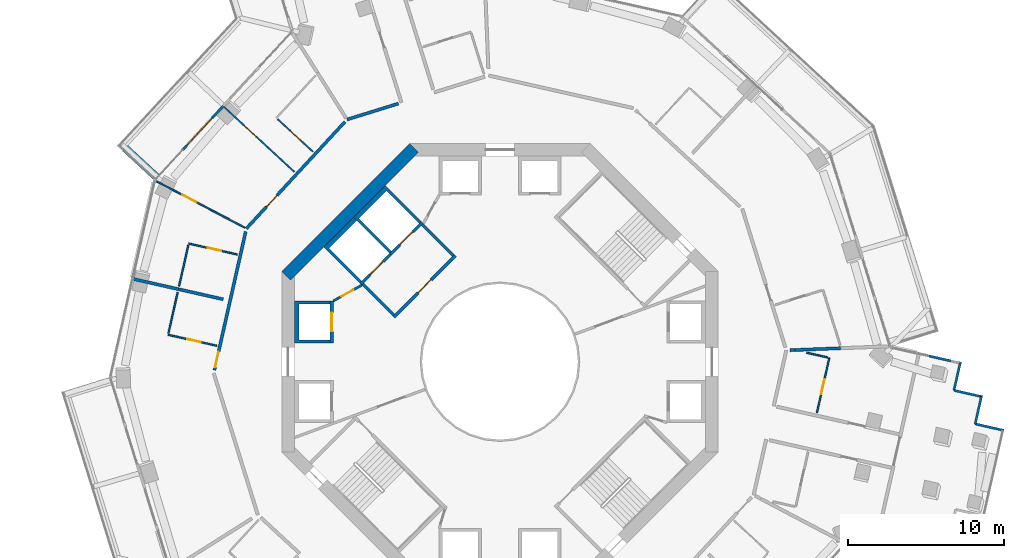
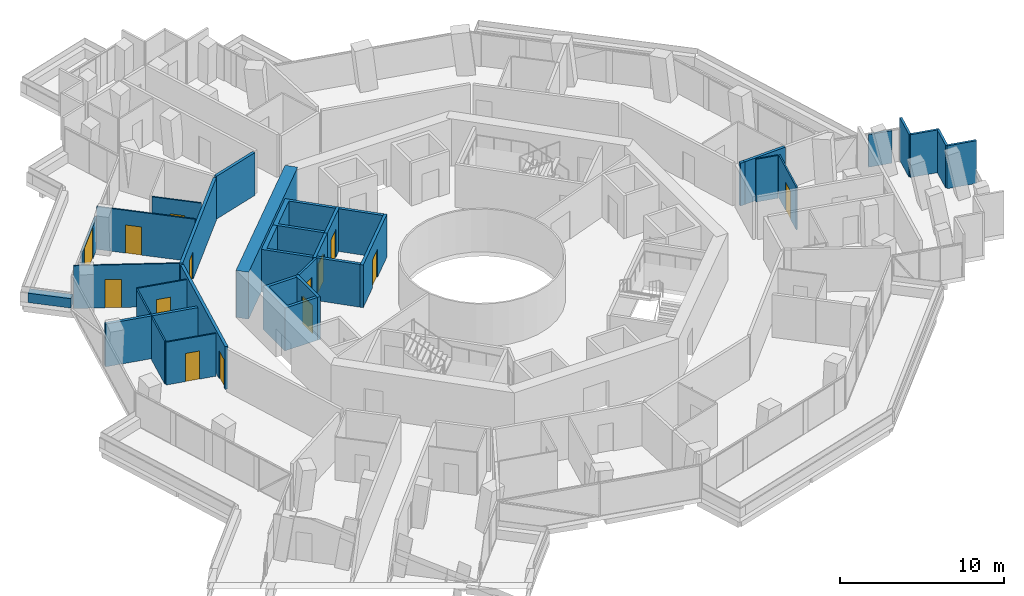
# One storey, part 20 of 25: 34 walls, 14 doors, 14 openings.
"""IFC4 building model written with IfcOpenShell, lengths in metres."""

import ifcopenshell
import ifcopenshell.guid

model = None  # the IFC model being written
_history = None  # IfcOwnerHistory: only IFC2X3 demands one
_inside = {}  # id of a spatial element -> (the spatial element, [elements in it])
_under = {}  # id of a project, library or spatial element -> (it, [spatial elements below it])
_declared = {}  # id of a project -> (the project, [libraries it declares])
_typed = {}  # id of a type object -> (the type object, [elements of that type])
_made_of = {}  # id of a material, layer set ... -> (it, [elements and type objects made of it])


def new_model(schema):
    """Start an empty IFC model of exactly this schema.

    Asked for "IFC4X3", IfcOpenShell would pick the latest addendum, in which some entities
    have other attributes; the version numbers below select the first issue.
    IFC2X3 requires an IfcOwnerHistory on every rooted entity: one is made here for all.
    """
    global model, _history
    if schema == "IFC4X3":
        model = ifcopenshell.file(schema_version=(4, 3, 0, 0))
    else:
        model = ifcopenshell.file(schema=schema)
    _inside.clear()
    _under.clear()
    _declared.clear()
    _typed.clear()
    _made_of.clear()
    _history = None
    if model.schema == "IFC2X3":
        org = make("IfcOrganization", Name="unknown")
        user = make(
            "IfcPersonAndOrganization",
            ThePerson=make("IfcPerson", FamilyName="unknown"),
            TheOrganization=org,
        )
        app = make(
            "IfcApplication",
            ApplicationDeveloper=org,
            Version="unknown",
            ApplicationFullName="unknown",
            ApplicationIdentifier="unknown",
        )
        _history = make(
            "IfcOwnerHistory",
            OwningUser=user,
            OwningApplication=app,
            ChangeAction="ADDED",
            CreationDate=0,
        )
    return model


def make(cls, **values):
    """One entity of the class cls with the attributes given. An attribute that is None is left unset."""
    return model.create_entity(
        cls, **{name: value for name, value in values.items() if value is not None}
    )


def rooted(cls, **values):
    """An entity with a GlobalId (a new one), such as an element, a storey or a relation."""
    return make(cls, GlobalId=ifcopenshell.guid.new(), OwnerHistory=_history, **values)


def si_unit(unit_type, name, prefix=None):
    """IfcSIUnit, for example si_unit("LENGTHUNIT", "METRE", prefix="MILLI")."""
    return make("IfcSIUnit", UnitType=unit_type, Prefix=prefix, Name=name)


def assignment(units):
    """IfcUnitAssignment: the units of a project."""
    return None if units is None else make("IfcUnitAssignment", Units=units)


def point(xyz):
    """IfcCartesianPoint."""
    return None if xyz is None else make("IfcCartesianPoint", Coordinates=xyz)


def direction(xyz):
    """IfcDirection."""
    return None if xyz is None else make("IfcDirection", DirectionRatios=xyz)


def frame(location, z_axis=None, x_axis=None):
    """IfcAxis2Placement3D, a coordinate frame: its origin and axes. An axis left out is left unset."""
    return make(
        "IfcAxis2Placement3D",
        Location=point(location),
        Axis=direction(z_axis),
        RefDirection=direction(x_axis),
    )


def frame_2d(location, x_axis=None):
    """IfcAxis2Placement2D, a coordinate frame in the plane: its origin and x axis."""
    return make(
        "IfcAxis2Placement2D", Location=point(location), RefDirection=direction(x_axis)
    )


def origin():
    """The frame at (0, 0, 0) with its axes left unset."""
    return frame((0.0, 0.0, 0.0))


def place(relative_to, where):
    """IfcLocalPlacement: puts the frame where relative to a parent placement (None: the world)."""
    return make(
        "IfcLocalPlacement", PlacementRelTo=relative_to, RelativePlacement=where
    )


def context(
    kind, dimensions, precision=None, world=None, true_north=None, identifier=None
):
    """IfcGeometricRepresentationContext, for example the 3D "Model" context."""
    return make(
        "IfcGeometricRepresentationContext",
        ContextIdentifier=identifier,
        ContextType=kind,
        CoordinateSpaceDimension=dimensions,
        Precision=precision,
        WorldCoordinateSystem=world,
        TrueNorth=true_north,
    )


def subcontext(parent, identifier, kind, view, scale=None):
    """IfcGeometricRepresentationSubContext, for example "Body" below "Model"."""
    return make(
        "IfcGeometricRepresentationSubContext",
        ContextIdentifier=identifier,
        ContextType=kind,
        ParentContext=parent,
        TargetScale=scale,
        TargetView=view,
    )


def project(units=None, contexts=None):
    """IfcProject with its units and contexts."""
    return rooted(
        "IfcProject",
        Name="project",
        RepresentationContexts=contexts,
        UnitsInContext=assignment(units),
    )


def spatial(cls, under=None, at=None, **own):
    """A site, building, storey or space (cls), placed at a placement, below another one or the project."""
    s = rooted(cls, ObjectPlacement=at, **own)
    if under is not None:
        _under.setdefault(under.id(), (under, []))[1].append(s)
    return s


def polyline(points):
    """IfcPolyline through the points."""
    return make("IfcPolyline", Points=[point(p) for p in points])


def profile(cls, at=None, kind="AREA", **sizes):
    """A parametric profile (cls). Its sizes go by their IFC names, for example OverallWidth=200.0."""
    return make(cls, ProfileType=kind, Position=at, **sizes)


def rectangle(**sizes):
    """IfcRectangleProfileDef."""
    return profile("IfcRectangleProfileDef", **sizes)


def outline(outer, holes=None, kind="AREA"):
    """IfcArbitraryClosedProfileDef: a profile drawn as a closed curve; with holes, ...WithVoids."""
    if holes is None:
        return make("IfcArbitraryClosedProfileDef", ProfileType=kind, OuterCurve=outer)
    return make(
        "IfcArbitraryProfileDefWithVoids",
        ProfileType=kind,
        OuterCurve=outer,
        InnerCurves=holes,
    )


def extrude(swept, where, along, depth):
    """IfcExtrudedAreaSolid: the profile swept, set in the frame where, extruded along a direction by depth."""
    return make(
        "IfcExtrudedAreaSolid",
        SweptArea=swept,
        Position=where,
        ExtrudedDirection=direction(along),
        Depth=depth,
    )


def shape(context_of_items, identifier, shape_type, items):
    """IfcShapeRepresentation: the items that make up one representation, for example the "Body"."""
    return make(
        "IfcShapeRepresentation",
        ContextOfItems=context_of_items,
        RepresentationIdentifier=identifier,
        RepresentationType=shape_type,
        Items=items,
    )


def material(Name=None, Category=None):
    """IfcMaterial."""
    return make("IfcMaterial", Name=Name, Category=Category)


def layer(
    of_material, thickness, ventilated=None, Name=None, Category=None, Priority=None
):
    """IfcMaterialLayer: one layer of a wall or slab, of a material (None: an air gap)."""
    return make(
        "IfcMaterialLayer",
        Material=of_material,
        LayerThickness=thickness,
        IsVentilated=ventilated,
        Name=Name,
        Category=Category,
        Priority=Priority,
    )


def layer_set(layers, Name=None):
    """IfcMaterialLayerSet."""
    return make("IfcMaterialLayerSet", MaterialLayers=layers, LayerSetName=Name)


def made_of(thing, what):
    """Note that an element or type object is made of a material, layer set ...; save() writes the relation."""
    if what is not None:
        _made_of.setdefault(what.id(), (what, []))[1].append(thing)
    return thing


def type_object(cls, material=None, **own):
    """A type object (cls), such as IfcWallType, which elements share."""
    return made_of(rooted(cls, **own), material)


def element(
    cls,
    number,
    at=None,
    inside=None,
    cuts=None,
    type_object=None,
    material=None,
    context=None,
    identifier="Body",
    shape_type=None,
    held_by="IfcProductDefinitionShape",
    body=None,
    shapes=None,
    **own,
):
    """One element of the class cls, such as IfcWall. Its Tag is "e" and its number.

    at: its placement. inside: the storey or other place that contains it. cuts: it is an
    opening in that element (IfcRelVoidsElement). A single representation is given by context,
    identifier, shape_type and body (its items); several are given by shapes. held_by: the class
    of the entity that holds the representations. save() writes the other relations.
    """
    e = rooted(cls, Tag="e%d" % number, ObjectPlacement=at, **own)
    if body is not None:
        shapes = [shape(context, identifier, shape_type, body)]
    if shapes is not None:
        e.Representation = make(held_by, Representations=shapes)
    if inside is not None:
        _inside.setdefault(inside.id(), (inside, []))[1].append(e)
    if cuts is not None:
        rooted(
            "IfcRelVoidsElement", RelatingBuildingElement=cuts, RelatedOpeningElement=e
        )
    if type_object is not None:
        _typed.setdefault(type_object.id(), (type_object, []))[1].append(e)
    return made_of(e, material)


def fill(opening, filler):
    """IfcRelFillsElement: the door or window that sits in an opening."""
    return rooted(
        "IfcRelFillsElement",
        RelatingOpeningElement=opening,
        RelatedBuildingElement=filler,
    )


def aggregate(whole, parts):
    """IfcRelAggregates: a whole, such as a stair, and the parts it consists of."""
    return rooted("IfcRelAggregates", RelatingObject=whole, RelatedObjects=parts)


def save(model, path):
    """Write the relations noted so far, then the file.

    IfcRelAggregates (storeys below a building ...), IfcRelContainedInSpatialStructure (elements
    in a storey), IfcRelDefinesByType, IfcRelAssociatesMaterial and IfcRelDeclares: one each for
    every whole, place, type object, material and project.
    """
    for whole, parts in _under.values():
        aggregate(whole, parts)
    for where, things in _inside.values():
        rooted(
            "IfcRelContainedInSpatialStructure",
            RelatedElements=things,
            RelatingStructure=where,
        )
    for kind, things in _typed.values():
        rooted("IfcRelDefinesByType", RelatedObjects=things, RelatingType=kind)
    for what, things in _made_of.values():
        rooted("IfcRelAssociatesMaterial", RelatedObjects=things, RelatingMaterial=what)
    for by, libraries in _declared.values():
        rooted("IfcRelDeclares", RelatingContext=by, RelatedDefinitions=libraries)
    model.write(path)


model = new_model("IFC4")

# Units and contexts
model_context = context("Model", 3, precision=1e-05, world=origin(), true_north=direction((0.0, 1.0)))
body_context = subcontext(model_context, "Body", "Model", "MODEL_VIEW")
ifc_project = project(units=[si_unit("LENGTHUNIT", "METRE"), si_unit("AREAUNIT", "SQUARE_METRE"), si_unit("VOLUMEUNIT", "CUBIC_METRE"), si_unit("PLANEANGLEUNIT", "RADIAN"), si_unit("MASSUNIT", "GRAM", prefix="KILO")], contexts=[model_context])

# Site, building, storey
site_placement = place(None, origin())
site = spatial("IfcSite", under=ifc_project, at=site_placement, CompositionType="ELEMENT")
building_placement = place(site_placement, origin())
building = spatial("IfcBuilding", under=site, at=building_placement, Name="Verdalira Terraces Hotel", CompositionType="ELEMENT")
storey_placement = place(building_placement, frame((0.0, 0.0, 103.5)))
storey = spatial("IfcBuildingStorey", under=building, at=storey_placement, Name="L24", CompositionType="ELEMENT", Elevation=103.5)

# Walls
ifc_material_1 = material(Name="Concrete C40", Category="concrete")
ifc_layer_1 = layer(ifc_material_1, 0.5)
ifc_layer_set_1 = layer_set([ifc_layer_1], Name="Balcony planter trough with tree")
wall_type_1 = type_object("IfcWallType", Name="Balcony planter trough with tree", PredefinedType="SOLIDWALL", material=ifc_layer_set_1)
wall_1_placement = place(storey_placement, frame((-24.045898, 13.697266, 0.0), z_axis=(0.0, 0.0, 1.0), x_axis=(0.734678586, -0.678415341, 0.0)))
element("IfcWall", 1, at=wall_1_placement, inside=storey, type_object=wall_type_1, Name="Balcony planter", PredefinedType="SOLIDWALL", context=body_context, shape_type="SweptSolid", body=[
    extrude(rectangle(XDim=2.698975, YDim=0.5, at=frame_2d((1.349609, 0.0))), origin(), (0.0, 0.0, 1.0), 0.699951),
])
ifc_material_2 = material(Name="Moisture-resistant gypsum board partition")
ifc_layer_2 = layer(ifc_material_2, 0.10009765625)
ifc_layer_set_2 = layer_set([ifc_layer_2], Name="Bathroom partition 100 mm")
wall_type_2 = type_object("IfcWallType", Name="Bathroom partition 100 mm", PredefinedType="PARTITIONING", material=ifc_layer_set_2)
for number, where, z_axis, x_axis, name in (
    (2, (-21.277588, 1.830078, 0.0), (0.0, 0.0, 1.0), (0.220194258, 0.975456041, 0.0), "Bathroom partition"),
    (3, (-20.000488, 7.487549, 0.0), (0.0, 0.0, 1.0), (-0.220194258, -0.975456041, 0.0), "Bathroom partition"),
):
    element("IfcWall", number, at=place(storey_placement, frame(where, z_axis=z_axis, x_axis=x_axis)), inside=storey, type_object=wall_type_2, Name=name, PredefinedType="PARTITIONING", context=body_context, shape_type="SweptSolid", body=[
        extrude(rectangle(XDim=2.699707, YDim=0.100098, at=frame_2d((1.349854, 0.0))), origin(), (0.0, 0.0, 1.0), 3.189941),
    ])

# Wall, opening, door
wall_2_placement = place(storey_placement, frame((-21.299561, 1.732422, 0.0), z_axis=(0.0, 0.0, 1.0), x_axis=(0.975456335, -0.220192959, 0.0)))
wall_2 = element("IfcWall", 4, at=wall_2_placement, inside=storey, type_object=wall_type_2, Name="Bathroom partition", PredefinedType="PARTITIONING", context=body_context, shape_type="SweptSolid", body=[
    extrude(rectangle(XDim=3.199951, YDim=0.100098, at=frame_2d((1.600098, 0.0))), origin(), (0.0, 0.0, 1.0), 3.189941),
])
opening_1_placement = place(wall_2_placement, frame((1.25, 0.0, 0.0)))
opening_1 = element("IfcOpeningElement", 5, at=opening_1_placement, cuts=wall_2, Name="Opening L24-112", PredefinedType="OPENING", context=body_context, shape_type="SweptSolid", body=[
    extrude(rectangle(XDim=0.899902, YDim=2.100098, at=frame_2d((0.449951, 1.050049))), frame((0.0, 0.060059, 0.0), z_axis=(0.0, -1.0, 0.0), x_axis=(1.0, 0.0, 0.0)), (0.0, 0.0, 1.0), 0.120117),
])
ifc_material_3 = material(Name="Timber door", Category="wood")
door_type_1 = type_object("IfcDoorType", Name="Bathroom door 900 x 2100", OperationType="NOTDEFINED", PredefinedType="DOOR", material=ifc_material_3)
door_1_placement = place(opening_1_placement, origin())
door_1 = element("IfcDoor", 6, at=door_1_placement, inside=storey, type_object=door_type_1, Name="Bathroom door 2404", OperationType="SINGLE_SWING_LEFT", OverallHeight=2.10009765625, OverallWidth=0.89990234375, PredefinedType="DOOR", context=body_context, shape_type="SweptSolid", body=[
    extrude(rectangle(XDim=0.899902, YDim=2.100098, at=frame_2d((0.449951, 1.050049))), frame((0.0, 0.024902, 0.0), z_axis=(0.0, -1.0, 0.0), x_axis=(1.0, 0.0, 0.0)), (0.0, 0.0, 1.0), 0.050049),
])
fill(opening_1, door_1)

wall_3_placement = place(storey_placement, frame((-16.366455, 8.599854, 0.0), z_axis=(0.0, 0.0, 1.0), x_axis=(-0.885235319, 0.465143451, 0.0)))
wall_3 = element("IfcWall", 7, at=wall_3_placement, inside=storey, type_object=wall_type_2, Name="Bathroom partition", PredefinedType="PARTITIONING", context=body_context, shape_type="SweptSolid", body=[
    extrude(rectangle(XDim=6.47583, YDim=0.100098, at=frame_2d((3.237793, 0.0))), origin(), (0.0, 0.0, 1.0), 3.189941),
])
opening_2_placement = place(wall_3_placement, frame((3.550049, 0.0, 0.0)))
opening_2 = element("IfcOpeningElement", 8, at=opening_2_placement, cuts=wall_3, Name="Opening L24-108", PredefinedType="OPENING", context=body_context, shape_type="SweptSolid", body=[
    extrude(rectangle(XDim=1.0, YDim=2.100098, at=frame_2d((0.5, 1.050049))), frame((0.0, 0.060059, 0.0), z_axis=(0.0, -1.0, 0.0), x_axis=(1.0, 0.0, 0.0)), (0.0, 0.0, 1.0), 0.120117),
])
ifc_material_4 = material(Name="Timber door", Category="wood")
door_type_2 = type_object("IfcDoorType", Name="Suite internal door 1000 x 2100", OperationType="NOTDEFINED", PredefinedType="DOOR", material=ifc_material_4)
door_2_placement = place(opening_2_placement, origin())
door_2 = element("IfcDoor", 9, at=door_2_placement, inside=storey, type_object=door_type_2, Name="Suite internal door 2403", OperationType="SINGLE_SWING_LEFT", OverallHeight=2.10009765625, OverallWidth=1.0, PredefinedType="DOOR", context=body_context, shape_type="SweptSolid", body=[
    extrude(rectangle(XDim=1.0, YDim=2.100098, at=frame_2d((0.5, 1.050049))), frame((0.0, 0.024902, 0.0), z_axis=(0.0, -1.0, 0.0), x_axis=(1.0, 0.0, 0.0)), (0.0, 0.0, 1.0), 0.050049),
])
fill(opening_2, door_2)

wall_4_placement = place(storey_placement, frame((-16.856934, 6.880615, 0.0), z_axis=(0.0, 0.0, 1.0), x_axis=(-0.975460033, 0.220176573, 0.0)))
wall_4 = element("IfcWall", 10, at=wall_4_placement, inside=storey, type_object=wall_type_2, Name="Bathroom partition", PredefinedType="PARTITIONING", context=body_context, shape_type="SweptSolid", body=[
    extrude(rectangle(XDim=3.200195, YDim=0.100098, at=frame_2d((1.600098, 0.0))), origin(), (0.0, 0.0, 1.0), 3.189941),
])
opening_3_placement = place(wall_4_placement, frame((1.050049, 0.0, 0.0)))
opening_3 = element("IfcOpeningElement", 11, at=opening_3_placement, cuts=wall_4, Name="Opening L24-110", PredefinedType="OPENING", context=body_context, shape_type="SweptSolid", body=[
    extrude(rectangle(XDim=0.899902, YDim=2.100098, at=frame_2d((0.449951, 1.050049))), frame((0.0, 0.060059, 0.0), z_axis=(0.0, -1.0, 0.0), x_axis=(1.0, 0.0, 0.0)), (0.0, 0.0, 1.0), 0.120117),
])
door_3_placement = place(opening_3_placement, origin())
door_3 = element("IfcDoor", 12, at=door_3_placement, inside=storey, type_object=door_type_1, Name="Bathroom door 2403", OperationType="SINGLE_SWING_RIGHT", OverallHeight=2.10009765625, OverallWidth=0.89990234375, PredefinedType="DOOR", context=body_context, shape_type="SweptSolid", body=[
    extrude(rectangle(XDim=0.899902, YDim=2.100098, at=frame_2d((0.449951, 1.050049))), frame((0.0, 0.024902, 0.0), z_axis=(0.0, -1.0, 0.0), x_axis=(1.0, 0.0, 0.0)), (0.0, 0.0, 1.0), 0.050049),
])
fill(opening_3, door_3)

wall_5_placement = place(storey_placement, frame((-17.711914, 16.355469, 0.0), z_axis=(0.0, 0.0, 1.0), x_axis=(0.734672545, -0.678421883, 0.0)))
wall_5 = element("IfcWall", 13, at=wall_5_placement, inside=storey, type_object=wall_type_2, Name="Bathroom partition", PredefinedType="PARTITIONING", context=body_context, shape_type="SweptSolid", body=[
    extrude(rectangle(XDim=6.150146, YDim=0.100098, at=frame_2d((3.075195, 0.0))), origin(), (0.0, 0.0, 1.0), 3.189941),
])
opening_4_placement = place(wall_5_placement, frame((1.800049, 0.0, 0.0)))
opening_4 = element("IfcOpeningElement", 14, at=opening_4_placement, cuts=wall_5, Name="Opening L24-107", PredefinedType="OPENING", context=body_context, shape_type="SweptSolid", body=[
    extrude(rectangle(XDim=1.0, YDim=2.100098, at=frame_2d((0.5, 1.050049))), frame((0.0, 0.060059, 0.0), z_axis=(0.0, -1.0, 0.0), x_axis=(1.0, 0.0, 0.0)), (0.0, 0.0, 1.0), 0.120117),
])
door_4_placement = place(opening_4_placement, origin())
door_4 = element("IfcDoor", 15, at=door_4_placement, inside=storey, type_object=door_type_2, Name="Suite internal door 2403", OperationType="SINGLE_SWING_LEFT", OverallHeight=2.10009765625, OverallWidth=1.0, PredefinedType="DOOR", context=body_context, shape_type="SweptSolid", body=[
    extrude(rectangle(XDim=1.0, YDim=2.100098, at=frame_2d((0.5, 1.050049))), frame((0.0, 0.024902, 0.0), z_axis=(0.0, -1.0, 0.0), x_axis=(1.0, 0.0, 0.0)), (0.0, 0.0, 1.0), 0.050049),
])
fill(opening_4, door_4)

wall_6_placement = place(storey_placement, frame((-14.27832, 15.578125, 0.0), z_axis=(0.0, 0.0, 1.0), x_axis=(0.734700779, -0.678391307, 0.0)))
wall_6 = element("IfcWall", 16, at=wall_6_placement, inside=storey, type_object=wall_type_2, Name="Bathroom partition", PredefinedType="PARTITIONING", context=body_context, shape_type="SweptSolid", body=[
    extrude(rectangle(XDim=3.100098, YDim=0.100098, at=frame_2d((1.550049, 0.0))), origin(), (0.0, 0.0, 1.0), 3.189941),
])
opening_5_placement = place(wall_6_placement, frame((1.149902, 0.0, 0.0)))
opening_5 = element("IfcOpeningElement", 17, at=opening_5_placement, cuts=wall_6, Name="Opening L24-109", PredefinedType="OPENING", context=body_context, shape_type="SweptSolid", body=[
    extrude(rectangle(XDim=0.899902, YDim=2.100098, at=frame_2d((0.449951, 1.050049))), frame((0.0, 0.060059, 0.0), z_axis=(0.0, -1.0, 0.0), x_axis=(1.0, 0.0, 0.0)), (0.0, 0.0, 1.0), 0.120117),
])
door_5_placement = place(opening_5_placement, origin())
door_5 = element("IfcDoor", 18, at=door_5_placement, inside=storey, type_object=door_type_1, Name="Bathroom door 2403", OperationType="SINGLE_SWING_LEFT", OverallHeight=2.10009765625, OverallWidth=0.89990234375, PredefinedType="DOOR", context=body_context, shape_type="SweptSolid", body=[
    extrude(rectangle(XDim=0.899902, YDim=2.100098, at=frame_2d((0.449951, 1.050049))), frame((0.0, 0.024902, 0.0), z_axis=(0.0, -1.0, 0.0), x_axis=(1.0, 0.0, 0.0)), (0.0, 0.0, 1.0), 0.050049),
])
fill(opening_5, door_5)

# Wall
wall_7_placement = place(storey_placement, frame((19.670898, 0.583008, 0.0), z_axis=(0.0, 0.0, 1.0), x_axis=(0.975471239, -0.220126921, 0.0)))
element("IfcWall", 19, at=wall_7_placement, inside=storey, type_object=wall_type_2, Name="Bathroom partition", PredefinedType="PARTITIONING", context=body_context, shape_type="SweptSolid", body=[
    extrude(rectangle(XDim=1.398682, YDim=0.100098, at=frame_2d((0.699219, 0.0))), origin(), (0.0, 0.0, 1.0), 3.189941),
])

# Wall, opening, door
wall_8_placement = place(storey_placement, frame((20.340088, -3.258545, 0.0), z_axis=(0.0, 0.0, 1.0), x_axis=(0.220196346, 0.97545557, 0.0)))
wall_8 = element("IfcWall", 20, at=wall_8_placement, inside=storey, type_object=wall_type_2, Name="Bathroom partition", PredefinedType="PARTITIONING", context=body_context, shape_type="SweptSolid", body=[
    extrude(rectangle(XDim=3.600098, YDim=0.100098, at=frame_2d((1.800049, 0.0))), origin(), (0.0, 0.0, 1.0), 3.189941),
])
opening_6_placement = place(wall_8_placement, frame((1.199951, 0.0, 0.0)))
opening_6 = element("IfcOpeningElement", 21, at=opening_6_placement, cuts=wall_8, Name="Opening L24-131", PredefinedType="OPENING", context=body_context, shape_type="SweptSolid", body=[
    extrude(rectangle(XDim=1.0, YDim=2.100098, at=frame_2d((0.5, 1.050049))), frame((0.0, 0.060059, 0.0), z_axis=(0.0, -1.0, 0.0), x_axis=(1.0, 0.0, 0.0)), (0.0, 0.0, 1.0), 0.120117),
])
ifc_material_5 = material(Name="Timber door", Category="wood")
door_type_3 = type_object("IfcDoorType", Name="Bathroom door 1000 x 2100", OperationType="NOTDEFINED", PredefinedType="DOOR", material=ifc_material_5)
door_6_placement = place(opening_6_placement, origin())
door_6 = element("IfcDoor", 22, at=door_6_placement, inside=storey, type_object=door_type_3, Name="Bathroom door 2412", OperationType="SINGLE_SWING_RIGHT", OverallHeight=2.10009765625, OverallWidth=1.0, PredefinedType="DOOR", context=body_context, shape_type="SweptSolid", body=[
    extrude(rectangle(XDim=1.0, YDim=2.100098, at=frame_2d((0.5, 1.050049))), frame((0.0, 0.024902, 0.0), z_axis=(0.0, -1.0, 0.0), x_axis=(1.0, 0.0, 0.0)), (0.0, 0.0, 1.0), 0.050049),
])
fill(opening_6, door_6)

# Wall
ifc_material_6 = material(Name="Concrete C50", Category="concrete")
ifc_layer_3 = layer(ifc_material_6, 0.199951171875)
ifc_layer_set_3 = layer_set([ifc_layer_3], Name="Core RC wall 200 C50")
wall_type_3 = type_object("IfcWallType", Name="Core RC wall 200 C50", PredefinedType="SOLIDWALL", material=ifc_layer_set_3)
wall_9_placement = place(storey_placement, origin())
element("IfcWall", 23, at=wall_9_placement, inside=storey, type_object=wall_type_3, Name="L24 shaft wall W1", PredefinedType="SOLIDWALL", context=body_context, shape_type="SweptSolid", body=[
    extrude(outline(polyline([(-13.199951, 3.899902), (-10.899902, 3.899902), (-10.899902, 3.699951), (-12.899902, 3.699951), (-12.899902, 1.399902), (-10.899902, 1.399902), (-10.899902, 1.199951), (-13.199951, 1.199951), (-13.199951, 3.899902)])), origin(), (0.0, 0.0, 1.0), 3.189941),
])

# Wall, opening, door
wall_10_placement = place(storey_placement, frame((-10.800049, 1.199951, 0.0), z_axis=(0.0, 0.0, 1.0), x_axis=(0.0, 1.0, 0.0)))
wall_10 = element("IfcWall", 24, at=wall_10_placement, inside=storey, type_object=wall_type_3, Name="L24 shaft front wall W1", PredefinedType="SOLIDWALL", context=body_context, shape_type="SweptSolid", body=[
    extrude(rectangle(XDim=2.699951, YDim=0.199951, at=frame_2d((1.350098, 0.0))), origin(), (0.0, 0.0, 1.0), 3.189941),
])
opening_7_placement = place(wall_10_placement, frame((0.75, 0.0, 0.0)))
opening_7 = element("IfcOpeningElement", 25, at=opening_7_placement, cuts=wall_10, Name="Opening LD-L24-805", PredefinedType="OPENING", context=body_context, shape_type="SweptSolid", body=[
    extrude(rectangle(XDim=1.199951, YDim=2.100098, at=frame_2d((0.600098, 1.050049))), frame((0.0, 0.109863, 0.0), z_axis=(0.0, -1.0, 0.0), x_axis=(1.0, 0.0, 0.0)), (0.0, 0.0, 1.0), 0.219971),
])
ifc_material_7 = material(Name="Stainless steel", Category="steel")
door_type_4 = type_object("IfcDoorType", Name="Landing door 1200 x 2100", OperationType="NOTDEFINED", PredefinedType="DOOR", material=ifc_material_7)
door_7_placement = place(opening_7_placement, origin())
door_7 = element("IfcDoor", 26, at=door_7_placement, inside=storey, type_object=door_type_4, Name="Lift landing door LR5 L24", OperationType="DOUBLE_DOOR_SLIDING", OverallHeight=2.10009765625, OverallWidth=1.199951171875, PredefinedType="DOOR", context=body_context, shape_type="SweptSolid", body=[
    extrude(rectangle(XDim=1.199951, YDim=2.100098, at=frame_2d((0.600098, 1.050049))), frame((0.0, 0.024902, 0.0), z_axis=(0.0, -1.0, 0.0), x_axis=(1.0, 0.0, 0.0)), (0.0, 0.0, 1.0), 0.050049),
])
fill(opening_7, door_7)

# Wall
wall_11_placement = place(storey_placement, origin())
element("IfcWall", 27, at=wall_11_placement, inside=storey, type_object=wall_type_3, Name="L24 shaft wall F1", PredefinedType="SOLIDWALL", context=body_context, shape_type="SweptSolid", body=[
    extrude(outline(polyline([(-9.404541, 9.263184), (-7.354004, 11.313721), (-5.055908, 9.015625), (-5.197266, 8.874268), (-7.283203, 10.960205), (-9.051025, 9.192383), (-6.965088, 7.106445), (-7.106445, 6.965088), (-9.404541, 9.263184)])), origin(), (0.0, 0.0, 1.0), 3.189941),
])

# Wall, opening, door
wall_12_placement = place(storey_placement, frame((-4.985107, 8.944824, 0.0), z_axis=(0.0, 0.0, 1.0), x_axis=(-0.707106781, -0.707106781, 0.0)))
wall_12 = element("IfcWall", 28, at=wall_12_placement, inside=storey, type_object=wall_type_3, Name="L24 shaft front wall F1", PredefinedType="SOLIDWALL", context=body_context, shape_type="SweptSolid", body=[
    extrude(rectangle(XDim=2.899902, YDim=0.199951, at=frame_2d((1.449951, 0.0))), origin(), (0.0, 0.0, 1.0), 3.189941),
])
opening_8_placement = place(wall_12_placement, frame((0.850098, 0.0, 0.0)))
opening_8 = element("IfcOpeningElement", 29, at=opening_8_placement, cuts=wall_12, Name="Opening LD-L24-807", PredefinedType="OPENING", context=body_context, shape_type="SweptSolid", body=[
    extrude(rectangle(XDim=1.199951, YDim=2.100098, at=frame_2d((0.600098, 1.050049))), frame((0.0, 0.109863, 0.0), z_axis=(0.0, -1.0, 0.0), x_axis=(1.0, 0.0, 0.0)), (0.0, 0.0, 1.0), 0.219971),
])
door_8_placement = place(opening_8_placement, origin())
door_8 = element("IfcDoor", 30, at=door_8_placement, inside=storey, type_object=door_type_4, Name="Lift landing door LF11 L24", OperationType="DOUBLE_DOOR_SLIDING", OverallHeight=2.10009765625, OverallWidth=1.199951171875, PredefinedType="DOOR", context=body_context, shape_type="SweptSolid", body=[
    extrude(rectangle(XDim=1.199951, YDim=2.100098, at=frame_2d((0.600098, 1.050049))), frame((0.0, 0.024902, 0.0), z_axis=(0.0, -1.0, 0.0), x_axis=(1.0, 0.0, 0.0)), (0.0, 0.0, 1.0), 0.050049),
])
fill(opening_8, door_8)

# Wall
wall_13_placement = place(storey_placement, origin())
element("IfcWall", 31, at=wall_13_placement, inside=storey, type_object=wall_type_3, Name="L24 shaft wall F2", PredefinedType="SOLIDWALL", context=body_context, shape_type="SweptSolid", body=[
    extrude(outline(polyline([(-11.313721, 7.354004), (-9.404541, 9.263184), (-9.192383, 9.051025), (-10.960205, 7.283203), (-8.874268, 5.197266), (-9.015625, 5.055908), (-11.313721, 7.354004)])), origin(), (0.0, 0.0, 1.0), 3.189941),
])

# Wall, opening, door
wall_14_placement = place(storey_placement, frame((-7.035645, 6.894287, 0.0), z_axis=(0.0, 0.0, 1.0), x_axis=(-0.707106781, -0.707106781, 0.0)))
wall_14 = element("IfcWall", 32, at=wall_14_placement, inside=storey, type_object=wall_type_3, Name="L24 shaft front wall F2", PredefinedType="SOLIDWALL", context=body_context, shape_type="SweptSolid", body=[
    extrude(rectangle(XDim=2.699951, YDim=0.199951, at=frame_2d((1.350098, 0.0))), origin(), (0.0, 0.0, 1.0), 3.189941),
])
opening_9_placement = place(wall_14_placement, frame((0.649902, 0.0, 0.0)))
opening_9 = element("IfcOpeningElement", 33, at=opening_9_placement, cuts=wall_14, Name="Opening LD-L24-808", PredefinedType="OPENING", context=body_context, shape_type="SweptSolid", body=[
    extrude(rectangle(XDim=1.199951, YDim=2.100098, at=frame_2d((0.600098, 1.050049))), frame((0.0, 0.109863, 0.0), z_axis=(0.0, -1.0, 0.0), x_axis=(1.0, 0.0, 0.0)), (0.0, 0.0, 1.0), 0.219971),
])
door_9_placement = place(opening_9_placement, origin())
door_9 = element("IfcDoor", 34, at=door_9_placement, inside=storey, type_object=door_type_4, Name="Lift landing door LF12 L24", OperationType="DOUBLE_DOOR_SLIDING", OverallHeight=2.10009765625, OverallWidth=1.199951171875, PredefinedType="DOOR", context=body_context, shape_type="SweptSolid", body=[
    extrude(rectangle(XDim=1.199951, YDim=2.100098, at=frame_2d((0.600098, 1.050049))), frame((0.0, 0.024902, 0.0), z_axis=(0.0, -1.0, 0.0), x_axis=(1.0, 0.0, 0.0)), (0.0, 0.0, 1.0), 0.050049),
])
fill(opening_9, door_9)

wall_15_placement = place(storey_placement, frame((-2.86377, 6.823486, 0.0), z_axis=(0.0, 0.0, 1.0), x_axis=(-0.707106781, -0.707106781, 0.0)))
wall_15 = element("IfcWall", 35, at=wall_15_placement, inside=storey, type_object=wall_type_3, Name="L24 fire lobby wall", PredefinedType="SOLIDWALL", context=body_context, shape_type="SweptSolid", body=[
    extrude(rectangle(XDim=5.599854, YDim=0.199951, at=frame_2d((2.799805, 0.0))), origin(), (0.0, 0.0, 1.0), 3.189941),
])
opening_10_placement = place(wall_15_placement, frame((2.199951, 0.0, 0.0)))
opening_10 = element("IfcOpeningElement", 36, at=opening_10_placement, cuts=wall_15, Name="Opening L24-819", PredefinedType="OPENING", context=body_context, shape_type="SweptSolid", body=[
    extrude(rectangle(XDim=1.199951, YDim=2.100098, at=frame_2d((0.600098, 1.050049))), frame((0.0, 0.109863, 0.0), z_axis=(0.0, -1.0, 0.0), x_axis=(1.0, 0.0, 0.0)), (0.0, 0.0, 1.0), 0.219971),
])
ifc_material_8 = material(Name="Steel fire door", Category="steel")
door_type_5 = type_object("IfcDoorType", Name="Lobby door 1200 x 2100", OperationType="NOTDEFINED", PredefinedType="DOOR", material=ifc_material_8)
door_10_placement = place(opening_10_placement, origin())
door_10 = element("IfcDoor", 37, at=door_10_placement, inside=storey, type_object=door_type_5, Name="Fire lobby door L24", OperationType="SINGLE_SWING_LEFT", OverallHeight=2.10009765625, OverallWidth=1.199951171875, PredefinedType="DOOR", context=body_context, shape_type="SweptSolid", body=[
    extrude(rectangle(XDim=1.199951, YDim=2.100098, at=frame_2d((0.600098, 1.050049))), frame((0.0, 0.024902, 0.0), z_axis=(0.0, -1.0, 0.0), x_axis=(1.0, 0.0, 0.0)), (0.0, 0.0, 1.0), 0.050049),
])
fill(opening_10, door_10)

# Walls
for number, where, z_axis, x_axis, name in (
    (38, (-3.005127, 6.823486, 0.0), (0.0, 0.0, 1.0), (-0.707106781, 0.707106781, 0.0), "L24 fire lobby wall"),
    (39, (-6.823486, 3.005127, 0.0), (0.0, 0.0, 1.0), (-0.707106781, 0.707106781, 0.0), "L24 fire lobby wall"),
):
    element("IfcWall", number, at=place(storey_placement, frame(where, z_axis=z_axis, x_axis=x_axis)), inside=storey, type_object=wall_type_3, Name=name, PredefinedType="SOLIDWALL", context=body_context, shape_type="SweptSolid", body=[
        extrude(rectangle(XDim=2.800049, YDim=0.199951, at=frame_2d((1.399902, 0.0))), origin(), (0.0, 0.0, 1.0), 3.189941),
    ])

# Wall, opening, door
ifc_material_9 = material(Name="Gypsum board partition")
ifc_layer_4 = layer(ifc_material_9, 0.14990234375)
ifc_layer_set_4 = layer_set([ifc_layer_4], Name="Core partition 150 mm")
wall_type_4 = type_object("IfcWallType", Name="Core partition 150 mm", PredefinedType="PARTITIONING", material=ifc_layer_set_4)
wall_16_placement = place(storey_placement, frame((-8.874268, 4.914307, 0.0), z_axis=(0.0, 0.0, 1.0), x_axis=(-0.874129705, -0.485692555, 0.0)))
wall_16 = element("IfcWall", 40, at=wall_16_placement, inside=storey, type_object=wall_type_4, Name="Room partition L24", PredefinedType="PARTITIONING", context=body_context, shape_type="SweptSolid", body=[
    extrude(rectangle(XDim=2.088623, YDim=0.149902, at=frame_2d((1.044434, 0.0))), origin(), (0.0, 0.0, 1.0), 3.189941),
])
opening_11_placement = place(wall_16_placement, frame((0.594238, 0.0, 0.0)))
opening_11 = element("IfcOpeningElement", 41, at=opening_11_placement, cuts=wall_16, Name="Opening L24-821", PredefinedType="OPENING", context=body_context, shape_type="SweptSolid", body=[
    extrude(rectangle(XDim=0.899902, YDim=2.100098, at=frame_2d((0.449951, 1.050049))), frame((0.0, 0.084961, 0.0), z_axis=(0.0, -1.0, 0.0), x_axis=(1.0, 0.0, 0.0)), (0.0, 0.0, 1.0), 0.169922),
])
ifc_material_10 = material(Name="Steel fire door", Category="steel")
door_type_6 = type_object("IfcDoorType", Name="Core room door 900 x 2100", OperationType="NOTDEFINED", PredefinedType="DOOR", material=ifc_material_10)
door_11_placement = place(opening_11_placement, origin())
door_11 = element("IfcDoor", 42, at=door_11_placement, inside=storey, type_object=door_type_6, Name="Door L24 room3", OperationType="SINGLE_SWING_LEFT", OverallHeight=2.10009765625, OverallWidth=0.89990234375, PredefinedType="DOOR", context=body_context, shape_type="SweptSolid", body=[
    extrude(rectangle(XDim=0.899902, YDim=2.100098, at=frame_2d((0.449951, 1.050049))), frame((0.0, 0.024902, 0.0), z_axis=(0.0, -1.0, 0.0), x_axis=(1.0, 0.0, 0.0)), (0.0, 0.0, 1.0), 0.050049),
])
fill(opening_11, door_11)

# Walls
ifc_material_11 = material(Name="Concrete C70", Category="concrete")
ifc_layer_5 = layer(ifc_material_11, 0.800048828125)
ifc_layer_set_5 = layer_set([ifc_layer_5], Name="Core wall 800 C70")
wall_type_5 = type_object("IfcWallType", Name="Core wall 800 C70", PredefinedType="SHEAR", material=ifc_layer_set_5)
wall_17_placement = place(storey_placement, frame((-5.516113, 13.717285, 0.0), z_axis=(0.0, 0.0, 1.0), x_axis=(-0.707106781, -0.707106781, 0.0)))
element("IfcWall", 43, at=wall_17_placement, inside=storey, type_object=wall_type_5, Name="Core wall CW-L24-4", PredefinedType="SHEAR", context=body_context, shape_type="SweptSolid", body=[
    extrude(rectangle(XDim=11.598145, YDim=0.800049, at=frame_2d((5.799072, 0.0))), origin(), (0.0, 0.0, 1.0), 3.5),
])
ifc_material_12 = material(Name="Fire-rated gypsum board wall")
ifc_layer_6 = layer(ifc_material_12, 0.199951171875)
ifc_layer_set_6 = layer_set([ifc_layer_6], Name="Demising wall 200 mm")
wall_type_6 = type_object("IfcWallType", Name="Demising wall 200 mm", PredefinedType="SOLIDWALL", material=ifc_layer_set_6)
wall_18_placement = place(storey_placement, frame((-20.63916, 4.658691, 0.0), z_axis=(0.0, 0.0, 1.0), x_axis=(-0.975447311, 0.220232929, 0.0)))
element("IfcWall", 44, at=wall_18_placement, inside=storey, type_object=wall_type_6, Name="Demising wall", PredefinedType="SOLIDWALL", context=body_context, shape_type="SweptSolid", body=[
    extrude(rectangle(XDim=2.949951, YDim=0.199951, at=frame_2d((1.475098, 0.0))), origin(), (0.0, 0.0, 1.0), 3.189941),
])
wall_19_placement = place(storey_placement, frame((-17.758789, 4.008545, 0.0), z_axis=(0.0, 0.0, 1.0), x_axis=(-0.975459908, 0.220177126, 0.0)))
element("IfcWall", 45, at=wall_19_placement, inside=storey, type_object=wall_type_6, Name="Demising wall", PredefinedType="SOLIDWALL", context=body_context, shape_type="SweptSolid", body=[
    extrude(rectangle(XDim=2.952881, YDim=0.199951, at=frame_2d((1.476562, 0.0))), origin(), (0.0, 0.0, 1.0), 3.189941),
])
wall_20_placement = place(storey_placement, frame((18.616211, 0.741211, 0.0), z_axis=(0.0, 0.0, 1.0), x_axis=(0.999211282, 0.039709126, 0.0)))
element("IfcWall", 46, at=wall_20_placement, inside=storey, type_object=wall_type_6, Name="Demising wall", PredefinedType="SOLIDWALL", context=body_context, shape_type="SweptSolid", body=[
    extrude(rectangle(XDim=0.30127, YDim=0.199951, at=frame_2d((0.150635, 0.0))), origin(), (0.0, 0.0, 1.0), 3.189941),
])
wall_21_placement = place(storey_placement, frame((18.917236, 0.753174, 0.0), z_axis=(0.0, 0.0, 1.0), x_axis=(0.999210134, 0.039737992, 0.0)))
element("IfcWall", 47, at=wall_21_placement, inside=storey, type_object=wall_type_6, Name="Demising wall", PredefinedType="SOLIDWALL", context=body_context, shape_type="SweptSolid", body=[
    extrude(rectangle(XDim=2.924316, YDim=0.199951, at=frame_2d((1.462158, 0.0))), origin(), (0.0, 0.0, 1.0), 3.189941),
])

# Wall, opening, door
ifc_material_13 = material(Name="Fire-rated gypsum board wall")
ifc_layer_7 = layer(ifc_material_13, 0.199951171875)
ifc_layer_set_7 = layer_set([ifc_layer_7], Name="Guest corridor wall 200 mm")
wall_type_7 = type_object("IfcWallType", Name="Guest corridor wall 200 mm", PredefinedType="SOLIDWALL", material=ifc_layer_set_7)
wall_22_placement = place(storey_placement, frame((-18.326172, -0.535889, 0.0), z_axis=(0.0, 0.0, 1.0), x_axis=(0.220190181, 0.975456962, 0.0)))
wall_22 = element("IfcWall", 48, at=wall_22_placement, inside=storey, type_object=wall_type_7, Name="Guest corridor wall", PredefinedType="SOLIDWALL", context=body_context, shape_type="SweptSolid", body=[
    extrude(rectangle(XDim=9.116211, YDim=0.199951, at=frame_2d((4.558105, 0.0))), origin(), (0.0, 0.0, 1.0), 3.189941),
])
opening_12_placement = place(wall_22_placement, frame((0.199951, 0.0, 0.0)))
opening_12 = element("IfcOpeningElement", 49, at=opening_12_placement, cuts=wall_22, Name="Opening L24-111", PredefinedType="OPENING", context=body_context, shape_type="SweptSolid", body=[
    extrude(rectangle(XDim=1.0, YDim=2.100098, at=frame_2d((0.5, 1.050049))), frame((0.0, 0.109863, 0.0), z_axis=(0.0, -1.0, 0.0), x_axis=(1.0, 0.0, 0.0)), (0.0, 0.0, 1.0), 0.219971),
])
ifc_material_14 = material(Name="Timber fire door", Category="wood")
door_type_7 = type_object("IfcDoorType", Name="Guest entry door 1000 x 2100", OperationType="NOTDEFINED", PredefinedType="DOOR", material=ifc_material_14)
door_12_placement = place(opening_12_placement, origin())
door_12 = element("IfcDoor", 50, at=door_12_placement, inside=storey, type_object=door_type_7, Name="Guest entry door 2404", OperationType="SINGLE_SWING_LEFT", OverallHeight=2.10009765625, OverallWidth=1.0, PredefinedType="DOOR", context=body_context, shape_type="SweptSolid", body=[
    extrude(rectangle(XDim=1.0, YDim=2.100098, at=frame_2d((0.5, 1.050049))), frame((0.0, 0.024902, 0.0), z_axis=(0.0, -1.0, 0.0), x_axis=(1.0, 0.0, 0.0)), (0.0, 0.0, 1.0), 0.050049),
])
fill(opening_12, door_12)

wall_23_placement = place(storey_placement, frame((-16.274902, 8.551758, 0.0), z_axis=(0.0, 0.0, 1.0), x_axis=(0.678430282, 0.734664789, 0.0)))
wall_23 = element("IfcWall", 51, at=wall_23_placement, inside=storey, type_object=wall_type_7, Name="Guest corridor wall", PredefinedType="SOLIDWALL", context=body_context, shape_type="SweptSolid", body=[
    extrude(rectangle(XDim=9.316895, YDim=0.199951, at=frame_2d((4.658447, 0.0))), origin(), (0.0, 0.0, 1.0), 3.189941),
])
opening_13_placement = place(wall_23_placement, frame((1.899902, 0.0, 0.0)))
opening_13 = element("IfcOpeningElement", 52, at=opening_13_placement, cuts=wall_23, Name="Opening L24-106", PredefinedType="OPENING", context=body_context, shape_type="SweptSolid", body=[
    extrude(rectangle(XDim=1.0, YDim=2.100098, at=frame_2d((0.5, 1.050049))), frame((0.0, 0.109863, 0.0), z_axis=(0.0, -1.0, 0.0), x_axis=(1.0, 0.0, 0.0)), (0.0, 0.0, 1.0), 0.219971),
])
door_13_placement = place(opening_13_placement, origin())
door_13 = element("IfcDoor", 53, at=door_13_placement, inside=storey, type_object=door_type_7, Name="Guest entry door 2403", OperationType="SINGLE_SWING_LEFT", OverallHeight=2.10009765625, OverallWidth=1.0, PredefinedType="DOOR", context=body_context, shape_type="SweptSolid", body=[
    extrude(rectangle(XDim=1.0, YDim=2.100098, at=frame_2d((0.5, 1.050049))), frame((0.0, 0.024902, 0.0), z_axis=(0.0, -1.0, 0.0), x_axis=(1.0, 0.0, 0.0)), (0.0, 0.0, 1.0), 0.050049),
])
fill(opening_13, door_13)

# Walls
wall_24_placement = place(storey_placement, frame((-6.516357, 16.570557, 0.0), z_axis=(0.0, 0.0, 1.0), x_axis=(-0.954878579, -0.296996465, 0.0)))
element("IfcWall", 54, at=wall_24_placement, inside=storey, type_object=wall_type_7, Name="Guest corridor wall", PredefinedType="SOLIDWALL", context=body_context, shape_type="SweptSolid", body=[
    extrude(rectangle(XDim=3.458252, YDim=0.199951, at=frame_2d((1.729004, 0.0))), origin(), (0.0, 0.0, 1.0), 3.189941),
])
ifc_material_15 = material(Name="Terracotta cladding", Category="masonry")
ifc_layer_8 = layer(ifc_material_15, 0.14990234375)
ifc_layer_set_8 = layer_set([ifc_layer_8], Name="Terracotta clad wall 150")
wall_type_8 = type_object("IfcWallType", Name="Terracotta clad wall 150", PredefinedType="SOLIDWALL", material=ifc_layer_set_8)
wall_25_placement = place(storey_placement, frame((32.324463, -4.400391, 0.0), z_axis=(0.0, 0.0, 1.0), x_axis=(-0.975461752, 0.220168957, 0.0)))
element("IfcWall", 55, at=wall_25_placement, inside=storey, type_object=wall_type_8, Name="Terracotta cladding wall", PredefinedType="SOLIDWALL", context=body_context, shape_type="SweptSolid", body=[
    extrude(rectangle(XDim=1.875, YDim=0.149902, at=frame_2d((0.9375, 0.0))), origin(), (0.0, 0.0, 1.0), 3.189941),
])
wall_26_placement = place(storey_placement, frame((30.495361, -3.987549, 0.0), z_axis=(0.0, 0.0, 1.0), x_axis=(0.220260871, 0.975441002, 0.0)))
element("IfcWall", 56, at=wall_26_placement, inside=storey, type_object=wall_type_8, Name="Terracotta cladding wall", PredefinedType="SOLIDWALL", context=body_context, shape_type="SweptSolid", body=[
    extrude(rectangle(XDim=1.800049, YDim=0.149902, at=frame_2d((0.899902, 0.0))), origin(), (0.0, 0.0, 1.0), 3.189941),
])
wall_27_placement = place(storey_placement, frame((30.964844, -2.248291, 0.0), z_axis=(0.0, 0.0, 1.0), x_axis=(-0.97545544, 0.220196923, 0.0)))
element("IfcWall", 57, at=wall_27_placement, inside=storey, type_object=wall_type_8, Name="Terracotta cladding wall", PredefinedType="SOLIDWALL", context=body_context, shape_type="SweptSolid", body=[
    extrude(rectangle(XDim=1.874756, YDim=0.149902, at=frame_2d((0.9375, 0.0))), origin(), (0.0, 0.0, 1.0), 3.189941),
])
wall_28_placement = place(storey_placement, frame((29.135986, -1.835449, 0.0), z_axis=(0.0, 0.0, 1.0), x_axis=(0.220168957, 0.975461752, 0.0)))
element("IfcWall", 58, at=wall_28_placement, inside=storey, type_object=wall_type_8, Name="Terracotta cladding wall", PredefinedType="SOLIDWALL", context=body_context, shape_type="SweptSolid", body=[
    extrude(rectangle(XDim=1.875, YDim=0.149902, at=frame_2d((0.9375, 0.0))), origin(), (0.0, 0.0, 1.0), 3.189941),
])
ifc_material_16 = material(Name="Terracotta cladding", Category="masonry")
ifc_layer_9 = layer(ifc_material_16, 0.14990234375)
ifc_layer_set_9 = layer_set([ifc_layer_9], Name="Terracotta column pier 150")
wall_type_9 = type_object("IfcWallType", Name="Terracotta column pier 150", PredefinedType="SOLIDWALL", material=ifc_layer_set_9)
wall_29_placement = place(storey_placement, frame((28.942139, 0.053711, 0.0), z_axis=(0.0, 0.0, 1.0), x_axis=(-0.975478166, 0.220096223, 0.0)))
element("IfcWall", 59, at=wall_29_placement, inside=storey, type_object=wall_type_9, Name="Terracotta column pier", PredefinedType="SOLIDWALL", context=body_context, shape_type="SweptSolid", body=[
    extrude(rectangle(XDim=1.501953, YDim=0.149902, at=frame_2d((0.750977, 0.0))), origin(), (0.0, 0.0, 1.0), 2.425049),
])

# Wall, opening, door
ifc_material_17 = material(Name="Terracotta cladding", Category="masonry")
ifc_layer_10 = layer(ifc_material_17, 0.14990234375)
ifc_layer_set_10 = layer_set([ifc_layer_10], Name="Terracotta door pier 150")
wall_type_10 = type_object("IfcWallType", Name="Terracotta door pier 150", PredefinedType="SOLIDWALL", material=ifc_layer_set_10)
wall_30_placement = place(storey_placement, frame((-17.766846, 16.40625, 0.0), z_axis=(0.0, 0.0, 1.0), x_axis=(-0.678446633, -0.734649689, 0.0)))
wall_30 = element("IfcWall", 60, at=wall_30_placement, inside=storey, type_object=wall_type_10, Name="Terracotta door pier", PredefinedType="SOLIDWALL", context=body_context, shape_type="SweptSolid", body=[
    extrude(rectangle(XDim=3.835693, YDim=0.149902, at=frame_2d((1.917969, 0.0))), origin(), (0.0, 0.0, 1.0), 2.425049),
])
opening_14_placement = place(wall_30_placement, frame((1.0354, 0.0, 0.0)))
opening_14 = element("IfcOpeningElement", 61, at=opening_14_placement, cuts=wall_30, Name="Opening L24-B05", PredefinedType="OPENING", context=body_context, shape_type="SweptSolid", body=[
    extrude(rectangle(XDim=2.399902, YDim=2.399902, at=frame_2d((1.199951, 1.199951))), frame((0.0, 0.084961, 0.0), z_axis=(0.0, -1.0, 0.0), x_axis=(1.0, 0.0, 0.0)), (0.0, 0.0, 1.0), 0.169922),
])
ifc_material_18 = material(Name="Clear glass", Category="glass")
door_type_8 = type_object("IfcDoorType", Name="Balcony sliding door 2400x2400", OperationType="NOTDEFINED", PredefinedType="DOOR", material=ifc_material_18)
door_14_placement = place(opening_14_placement, origin())
door_14 = element("IfcDoor", 62, at=door_14_placement, inside=storey, type_object=door_type_8, Name="Balcony sliding door", OperationType="SLIDING_TO_LEFT", OverallHeight=2.39990234375, OverallWidth=2.39990234375, PredefinedType="DOOR", context=body_context, shape_type="SweptSolid", body=[
    extrude(rectangle(XDim=2.399902, YDim=2.399902, at=frame_2d((1.199951, 1.199951))), frame((0.0, 0.024902, 0.0), z_axis=(0.0, -1.0, 0.0), x_axis=(1.0, 0.0, 0.0)), (0.0, 0.0, 1.0), 0.050049),
])
fill(opening_14, door_14)

save(model, "model.ifc")
